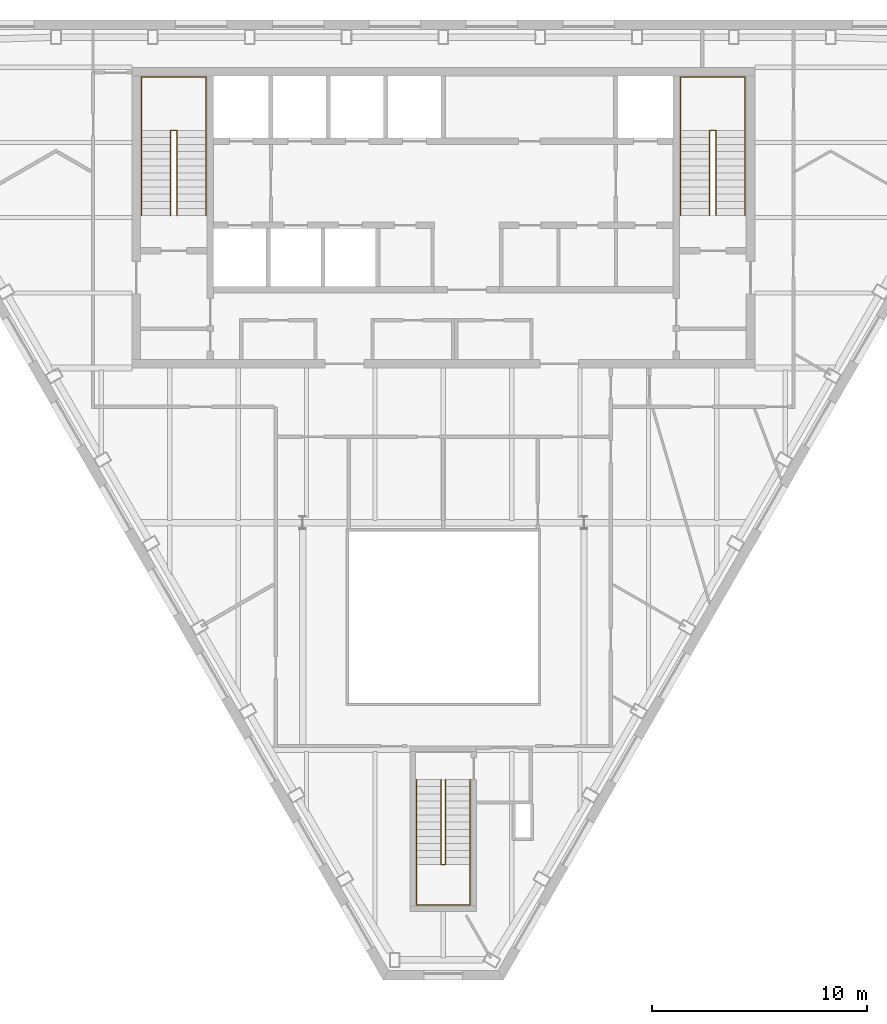
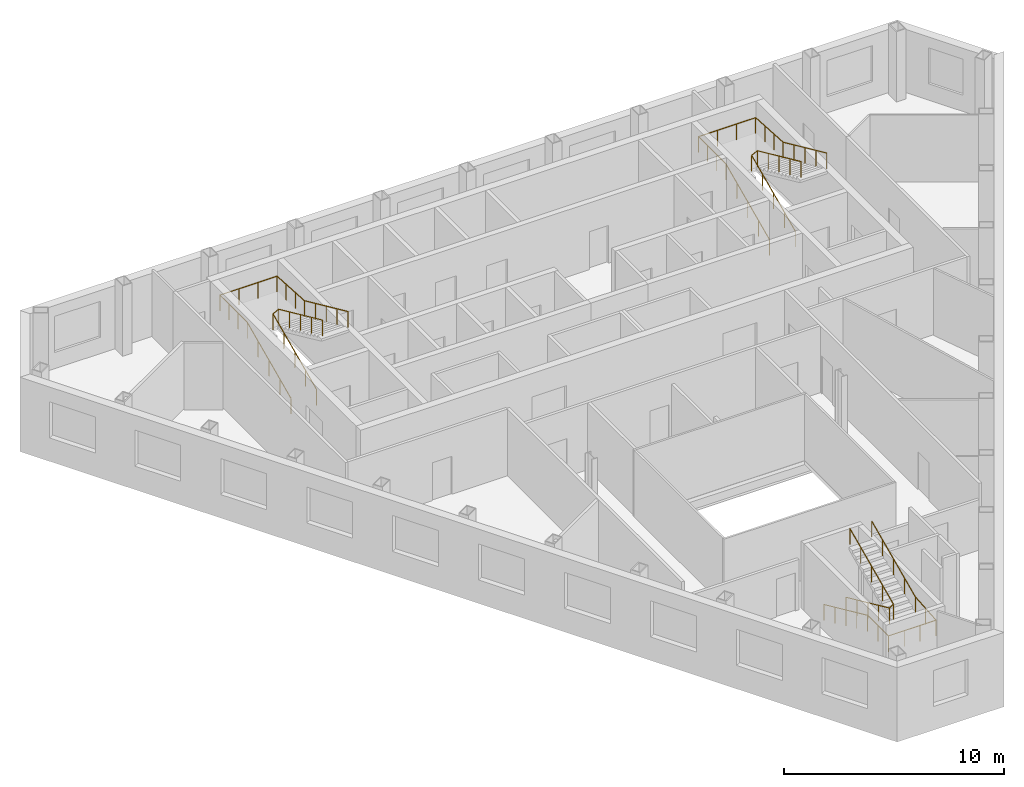
# One storey, part 10 of 10: 6 railings.
"""IFC4 building model written with IfcOpenShell, lengths in metres."""

from ifc_helpers import new_model, si_unit, direction, frame, origin, origin_2d, place, context, subcontext, project, spatial, circle, extrude, material, type_object, element, save


model = new_model("IFC4")

# Units and contexts
model_context = context("Model", 3, precision=1e-05, world=origin(), true_north=direction((0.0, 1.0)))
body_context = subcontext(model_context, "Body", "Model", "MODEL_VIEW")
ifc_project = project(units=[si_unit("LENGTHUNIT", "METRE"), si_unit("AREAUNIT", "SQUARE_METRE"), si_unit("VOLUMEUNIT", "CUBIC_METRE"), si_unit("PLANEANGLEUNIT", "RADIAN"), si_unit("MASSUNIT", "GRAM", prefix="KILO")], contexts=[model_context])

# Site, building, storey
site_placement = place(None, origin())
site = spatial("IfcSite", under=ifc_project, at=site_placement, CompositionType="ELEMENT")
building_placement = place(site_placement, origin())
building = spatial("IfcBuilding", under=site, at=building_placement, Name="Njiva Tower", CompositionType="ELEMENT")
storey_placement = place(building_placement, frame((0.0, 0.0, 276.6)))
storey = spatial("IfcBuildingStorey", under=building, at=storey_placement, Name="L63", CompositionType="ELEMENT", Elevation=276.6)

# Railings
ifc_material = material(Name="Stainless steel", Category="steel")
railing_type = type_object("IfcRailingType", Name="RL1 Stair handrail 900", PredefinedType="HANDRAIL", material=ifc_material)
railing_1_placement = place(storey_placement, frame((-14.05, 11.1, 0.15)))
element("IfcRailing", 1, at=railing_1_placement, inside=storey, type_object=railing_type, Name="Stair A handrail", PredefinedType="HANDRAIL", context=body_context, shape_type="SweptSolid", body=[
    extrude(circle(Radius=0.024, at=origin_2d()), frame((0.0, 0.0, 0.876), z_axis=(0.0, 0.910366477463, 0.413802944301), x_axis=(-1.0, 0.0, 0.0)), (0.0, 0.0, 1.0), 4.3499),
    extrude(circle(Radius=0.024, at=origin_2d()), frame((0.0, 3.96, 2.676), z_axis=(0.0, 1.0, 0.0), x_axis=(-1.0, 0.0, 0.0)), (0.0, 0.0, 1.0), 2.49),
    extrude(circle(Radius=0.024, at=origin_2d()), frame((0.0, 6.45, 2.676), z_axis=(1.0, 0.0, 0.0), x_axis=(0.0, 1.0, 0.0)), (0.0, 0.0, 1.0), 3.0),
    extrude(circle(Radius=0.024, at=origin_2d()), frame((3.0, 6.45, 2.676), z_axis=(0.0, -0.998190436793, 0.060131954024), x_axis=(1.0, 0.0, 0.0)), (0.0, 0.0, 1.0), 2.4945),
    extrude(circle(Radius=0.024, at=origin_2d()), frame((3.0, 3.96, 2.826), z_axis=(0.0, -0.910366477463, 0.413802944301), x_axis=(1.0, 0.0, 0.0)), (0.0, 0.0, 1.0), 4.3499),
    extrude(circle(Radius=0.021, at=origin_2d()), origin(), (0.0, 0.0, 1.0), 0.852),
    extrude(circle(Radius=0.021, at=origin_2d()), frame((0.0, 0.99, 0.45)), (0.0, 0.0, 1.0), 0.852),
    extrude(circle(Radius=0.021, at=origin_2d()), frame((0.0, 1.98, 0.9)), (0.0, 0.0, 1.0), 0.852),
    extrude(circle(Radius=0.021, at=origin_2d()), frame((0.0, 2.97, 1.35)), (0.0, 0.0, 1.0), 0.852),
    extrude(circle(Radius=0.021, at=origin_2d()), frame((0.0, 3.96, 1.8)), (0.0, 0.0, 1.0), 0.852),
    extrude(circle(Radius=0.021, at=origin_2d()), frame((0.0, 4.79, 1.8)), (0.0, 0.0, 1.0), 0.852),
    extrude(circle(Radius=0.021, at=origin_2d()), frame((0.0, 5.62, 1.8)), (0.0, 0.0, 1.0), 0.852),
    extrude(circle(Radius=0.021, at=origin_2d()), frame((0.0, 6.45, 1.8)), (0.0, 0.0, 1.0), 0.852),
    extrude(circle(Radius=0.021, at=origin_2d()), frame((1.0, 6.45, 1.8)), (0.0, 0.0, 1.0), 0.852),
    extrude(circle(Radius=0.021, at=origin_2d()), frame((2.0, 6.45, 1.8)), (0.0, 0.0, 1.0), 0.852),
    extrude(circle(Radius=0.021, at=origin_2d()), frame((3.0, 6.45, 1.8)), (0.0, 0.0, 1.0), 0.852),
    extrude(circle(Radius=0.021, at=origin_2d()), frame((3.0, 5.62, 1.85)), (0.0, 0.0, 1.0), 0.852),
    extrude(circle(Radius=0.021, at=origin_2d()), frame((3.0, 4.79, 1.9)), (0.0, 0.0, 1.0), 0.852),
    extrude(circle(Radius=0.021, at=origin_2d()), frame((3.0, 3.96, 1.95)), (0.0, 0.0, 1.0), 0.852),
    extrude(circle(Radius=0.021, at=origin_2d()), frame((3.0, 2.97, 2.4)), (0.0, 0.0, 1.0), 0.852),
    extrude(circle(Radius=0.021, at=origin_2d()), frame((3.0, 1.98, 2.85)), (0.0, 0.0, 1.0), 0.852),
    extrude(circle(Radius=0.021, at=origin_2d()), frame((3.0, 0.99, 3.3)), (0.0, 0.0, 1.0), 0.852),
    extrude(circle(Radius=0.021, at=origin_2d()), frame((3.0, 0.0, 3.75)), (0.0, 0.0, 1.0), 0.852),
])
railing_2_placement = place(storey_placement, frame((-12.7, 11.1, 0.15)))
element("IfcRailing", 2, at=railing_2_placement, inside=storey, type_object=railing_type, Name="Stair A handrail", PredefinedType="HANDRAIL", context=body_context, shape_type="SweptSolid", body=[
    extrude(circle(Radius=0.024, at=origin_2d()), frame((0.0, 0.0, 0.876), z_axis=(0.0, 0.910366477463, 0.413802944301), x_axis=(-1.0, 0.0, 0.0)), (0.0, 0.0, 1.0), 4.3499),
    extrude(circle(Radius=0.024, at=origin_2d()), frame((0.0, 3.96, 2.676), z_axis=(0.894427191, 0.0, 0.4472135955), x_axis=(0.0, 1.0, 0.0)), (0.0, 0.0, 1.0), 0.3354),
    extrude(circle(Radius=0.024, at=origin_2d()), frame((0.3, 3.96, 2.826), z_axis=(0.0, -0.910366477463, 0.413802944301), x_axis=(1.0, 0.0, 0.0)), (0.0, 0.0, 1.0), 4.3499),
    extrude(circle(Radius=0.021, at=origin_2d()), origin(), (0.0, 0.0, 1.0), 0.852),
    extrude(circle(Radius=0.021, at=origin_2d()), frame((0.0, 0.99, 0.45)), (0.0, 0.0, 1.0), 0.852),
    extrude(circle(Radius=0.021, at=origin_2d()), frame((0.0, 1.98, 0.9)), (0.0, 0.0, 1.0), 0.852),
    extrude(circle(Radius=0.021, at=origin_2d()), frame((0.0, 2.97, 1.35)), (0.0, 0.0, 1.0), 0.852),
    extrude(circle(Radius=0.021, at=origin_2d()), frame((0.0, 3.96, 1.8)), (0.0, 0.0, 1.0), 0.852),
    extrude(circle(Radius=0.021, at=origin_2d()), frame((0.3, 3.96, 1.95)), (0.0, 0.0, 1.0), 0.852),
    extrude(circle(Radius=0.021, at=origin_2d()), frame((0.3, 2.97, 2.4)), (0.0, 0.0, 1.0), 0.852),
    extrude(circle(Radius=0.021, at=origin_2d()), frame((0.3, 1.98, 2.85)), (0.0, 0.0, 1.0), 0.852),
    extrude(circle(Radius=0.021, at=origin_2d()), frame((0.3, 0.99, 3.3)), (0.0, 0.0, 1.0), 0.852),
    extrude(circle(Radius=0.021, at=origin_2d()), frame((0.3, 0.0, 3.75)), (0.0, 0.0, 1.0), 0.852),
])
railing_3_placement = place(storey_placement, frame((11.05, 11.1, 0.15)))
element("IfcRailing", 3, at=railing_3_placement, inside=storey, type_object=railing_type, Name="Stair B handrail", PredefinedType="HANDRAIL", context=body_context, shape_type="SweptSolid", body=[
    extrude(circle(Radius=0.024, at=origin_2d()), frame((0.0, 0.0, 0.876), z_axis=(0.0, 0.910366477463, 0.413802944301), x_axis=(-1.0, 0.0, 0.0)), (0.0, 0.0, 1.0), 4.3499),
    extrude(circle(Radius=0.024, at=origin_2d()), frame((0.0, 3.96, 2.676), z_axis=(0.0, 1.0, 0.0), x_axis=(-1.0, 0.0, 0.0)), (0.0, 0.0, 1.0), 2.49),
    extrude(circle(Radius=0.024, at=origin_2d()), frame((0.0, 6.45, 2.676), z_axis=(1.0, 0.0, 0.0), x_axis=(0.0, 1.0, 0.0)), (0.0, 0.0, 1.0), 3.0),
    extrude(circle(Radius=0.024, at=origin_2d()), frame((3.0, 6.45, 2.676), z_axis=(0.0, -0.998190436793, 0.060131954024), x_axis=(1.0, 0.0, 0.0)), (0.0, 0.0, 1.0), 2.4945),
    extrude(circle(Radius=0.024, at=origin_2d()), frame((3.0, 3.96, 2.826), z_axis=(0.0, -0.910366477463, 0.413802944301), x_axis=(1.0, 0.0, 0.0)), (0.0, 0.0, 1.0), 4.3499),
    extrude(circle(Radius=0.021, at=origin_2d()), origin(), (0.0, 0.0, 1.0), 0.852),
    extrude(circle(Radius=0.021, at=origin_2d()), frame((0.0, 0.99, 0.45)), (0.0, 0.0, 1.0), 0.852),
    extrude(circle(Radius=0.021, at=origin_2d()), frame((0.0, 1.98, 0.9)), (0.0, 0.0, 1.0), 0.852),
    extrude(circle(Radius=0.021, at=origin_2d()), frame((0.0, 2.97, 1.35)), (0.0, 0.0, 1.0), 0.852),
    extrude(circle(Radius=0.021, at=origin_2d()), frame((0.0, 3.96, 1.8)), (0.0, 0.0, 1.0), 0.852),
    extrude(circle(Radius=0.021, at=origin_2d()), frame((0.0, 4.79, 1.8)), (0.0, 0.0, 1.0), 0.852),
    extrude(circle(Radius=0.021, at=origin_2d()), frame((0.0, 5.62, 1.8)), (0.0, 0.0, 1.0), 0.852),
    extrude(circle(Radius=0.021, at=origin_2d()), frame((0.0, 6.45, 1.8)), (0.0, 0.0, 1.0), 0.852),
    extrude(circle(Radius=0.021, at=origin_2d()), frame((1.0, 6.45, 1.8)), (0.0, 0.0, 1.0), 0.852),
    extrude(circle(Radius=0.021, at=origin_2d()), frame((2.0, 6.45, 1.8)), (0.0, 0.0, 1.0), 0.852),
    extrude(circle(Radius=0.021, at=origin_2d()), frame((3.0, 6.45, 1.8)), (0.0, 0.0, 1.0), 0.852),
    extrude(circle(Radius=0.021, at=origin_2d()), frame((3.0, 5.62, 1.85)), (0.0, 0.0, 1.0), 0.852),
    extrude(circle(Radius=0.021, at=origin_2d()), frame((3.0, 4.79, 1.9)), (0.0, 0.0, 1.0), 0.852),
    extrude(circle(Radius=0.021, at=origin_2d()), frame((3.0, 3.96, 1.95)), (0.0, 0.0, 1.0), 0.852),
    extrude(circle(Radius=0.021, at=origin_2d()), frame((3.0, 2.97, 2.4)), (0.0, 0.0, 1.0), 0.852),
    extrude(circle(Radius=0.021, at=origin_2d()), frame((3.0, 1.98, 2.85)), (0.0, 0.0, 1.0), 0.852),
    extrude(circle(Radius=0.021, at=origin_2d()), frame((3.0, 0.99, 3.3)), (0.0, 0.0, 1.0), 0.852),
    extrude(circle(Radius=0.021, at=origin_2d()), frame((3.0, 0.0, 3.75)), (0.0, 0.0, 1.0), 0.852),
])
railing_4_placement = place(storey_placement, frame((12.4, 11.1, 0.15)))
element("IfcRailing", 4, at=railing_4_placement, inside=storey, type_object=railing_type, Name="Stair B handrail", PredefinedType="HANDRAIL", context=body_context, shape_type="SweptSolid", body=[
    extrude(circle(Radius=0.024, at=origin_2d()), frame((0.0, 0.0, 0.876), z_axis=(0.0, 0.910366477463, 0.413802944301), x_axis=(-1.0, 0.0, 0.0)), (0.0, 0.0, 1.0), 4.3499),
    extrude(circle(Radius=0.024, at=origin_2d()), frame((0.0, 3.96, 2.676), z_axis=(0.894427191, 0.0, 0.4472135955), x_axis=(0.0, 1.0, 0.0)), (0.0, 0.0, 1.0), 0.3354),
    extrude(circle(Radius=0.024, at=origin_2d()), frame((0.3, 3.96, 2.826), z_axis=(0.0, -0.910366477463, 0.413802944301), x_axis=(1.0, 0.0, 0.0)), (0.0, 0.0, 1.0), 4.3499),
    extrude(circle(Radius=0.021, at=origin_2d()), origin(), (0.0, 0.0, 1.0), 0.852),
    extrude(circle(Radius=0.021, at=origin_2d()), frame((0.0, 0.99, 0.45)), (0.0, 0.0, 1.0), 0.852),
    extrude(circle(Radius=0.021, at=origin_2d()), frame((0.0, 1.98, 0.9)), (0.0, 0.0, 1.0), 0.852),
    extrude(circle(Radius=0.021, at=origin_2d()), frame((0.0, 2.97, 1.35)), (0.0, 0.0, 1.0), 0.852),
    extrude(circle(Radius=0.021, at=origin_2d()), frame((0.0, 3.96, 1.8)), (0.0, 0.0, 1.0), 0.852),
    extrude(circle(Radius=0.021, at=origin_2d()), frame((0.3, 3.96, 1.95)), (0.0, 0.0, 1.0), 0.852),
    extrude(circle(Radius=0.021, at=origin_2d()), frame((0.3, 2.97, 2.4)), (0.0, 0.0, 1.0), 0.852),
    extrude(circle(Radius=0.021, at=origin_2d()), frame((0.3, 1.98, 2.85)), (0.0, 0.0, 1.0), 0.852),
    extrude(circle(Radius=0.021, at=origin_2d()), frame((0.3, 0.99, 3.3)), (0.0, 0.0, 1.0), 0.852),
    extrude(circle(Radius=0.021, at=origin_2d()), frame((0.3, 0.0, 3.75)), (0.0, 0.0, 1.0), 0.852),
])
railing_5_placement = place(storey_placement, frame((-1.25, -15.16, 0.15)))
element("IfcRailing", 5, at=railing_5_placement, inside=storey, type_object=railing_type, Name="Stair C handrail", PredefinedType="HANDRAIL", context=body_context, shape_type="SweptSolid", body=[
    extrude(circle(Radius=0.024, at=origin_2d()), frame((0.0, 0.0, 0.876), z_axis=(0.0, -0.910366477463, 0.413802944301), x_axis=(1.0, 0.0, 0.0)), (0.0, 0.0, 1.0), 4.3499),
    extrude(circle(Radius=0.024, at=origin_2d()), frame((0.0, -3.96, 2.676), z_axis=(0.0, -1.0, 0.0), x_axis=(1.0, 0.0, 0.0)), (0.0, 0.0, 1.0), 1.88),
    extrude(circle(Radius=0.024, at=origin_2d()), frame((0.0, -5.84, 2.676), z_axis=(1.0, 0.0, 0.0), x_axis=(0.0, 1.0, 0.0)), (0.0, 0.0, 1.0), 2.5),
    extrude(circle(Radius=0.024, at=origin_2d()), frame((2.5, -5.84, 2.676), z_axis=(0.0, 0.996832115713, 0.079534477318), x_axis=(-1.0, 0.0, 0.0)), (0.0, 0.0, 1.0), 1.886),
    extrude(circle(Radius=0.024, at=origin_2d()), frame((2.5, -3.96, 2.826), z_axis=(0.0, 0.910366477463, 0.413802944301), x_axis=(-1.0, 0.0, 0.0)), (0.0, 0.0, 1.0), 4.3499),
    extrude(circle(Radius=0.021, at=origin_2d()), origin(), (0.0, 0.0, 1.0), 0.852),
    extrude(circle(Radius=0.021, at=origin_2d()), frame((0.0, -0.99, 0.45)), (0.0, 0.0, 1.0), 0.852),
    extrude(circle(Radius=0.021, at=origin_2d()), frame((0.0, -1.98, 0.9)), (0.0, 0.0, 1.0), 0.852),
    extrude(circle(Radius=0.021, at=origin_2d()), frame((0.0, -2.97, 1.35)), (0.0, 0.0, 1.0), 0.852),
    extrude(circle(Radius=0.021, at=origin_2d()), frame((0.0, -3.96, 1.8)), (0.0, 0.0, 1.0), 0.852),
    extrude(circle(Radius=0.021, at=origin_2d()), frame((0.0, -4.9, 1.8)), (0.0, 0.0, 1.0), 0.852),
    extrude(circle(Radius=0.021, at=origin_2d()), frame((0.0, -5.84, 1.8)), (0.0, 0.0, 1.0), 0.852),
    extrude(circle(Radius=0.021, at=origin_2d()), frame((0.8333, -5.84, 1.8)), (0.0, 0.0, 1.0), 0.852),
    extrude(circle(Radius=0.021, at=origin_2d()), frame((1.6667, -5.84, 1.8)), (0.0, 0.0, 1.0), 0.852),
    extrude(circle(Radius=0.021, at=origin_2d()), frame((2.5, -5.84, 1.8)), (0.0, 0.0, 1.0), 0.852),
    extrude(circle(Radius=0.021, at=origin_2d()), frame((2.5, -4.9, 1.875)), (0.0, 0.0, 1.0), 0.852),
    extrude(circle(Radius=0.021, at=origin_2d()), frame((2.5, -3.96, 1.95)), (0.0, 0.0, 1.0), 0.852),
    extrude(circle(Radius=0.021, at=origin_2d()), frame((2.5, -2.97, 2.4)), (0.0, 0.0, 1.0), 0.852),
    extrude(circle(Radius=0.021, at=origin_2d()), frame((2.5, -1.98, 2.85)), (0.0, 0.0, 1.0), 0.852),
    extrude(circle(Radius=0.021, at=origin_2d()), frame((2.5, -0.99, 3.3)), (0.0, 0.0, 1.0), 0.852),
    extrude(circle(Radius=0.021, at=origin_2d()), frame((2.5, 0.0, 3.75)), (0.0, 0.0, 1.0), 0.852),
])
railing_6_placement = place(storey_placement, frame((-0.1, -15.16, 0.15)))
element("IfcRailing", 6, at=railing_6_placement, inside=storey, type_object=railing_type, Name="Stair C handrail", PredefinedType="HANDRAIL", context=body_context, shape_type="SweptSolid", body=[
    extrude(circle(Radius=0.024, at=origin_2d()), frame((0.0, 0.0, 0.876), z_axis=(0.0, -0.910366477463, 0.413802944301), x_axis=(1.0, 0.0, 0.0)), (0.0, 0.0, 1.0), 4.3499),
    extrude(circle(Radius=0.024, at=origin_2d()), frame((0.0, -3.96, 2.676), z_axis=(0.8, 0.0, 0.6), x_axis=(0.0, 1.0, 0.0)), (0.0, 0.0, 1.0), 0.25),
    extrude(circle(Radius=0.024, at=origin_2d()), frame((0.2, -3.96, 2.826), z_axis=(0.0, 0.910366477463, 0.413802944301), x_axis=(-1.0, 0.0, 0.0)), (0.0, 0.0, 1.0), 4.3499),
    extrude(circle(Radius=0.021, at=origin_2d()), origin(), (0.0, 0.0, 1.0), 0.852),
    extrude(circle(Radius=0.021, at=origin_2d()), frame((0.0, -0.99, 0.45)), (0.0, 0.0, 1.0), 0.852),
    extrude(circle(Radius=0.021, at=origin_2d()), frame((0.0, -1.98, 0.9)), (0.0, 0.0, 1.0), 0.852),
    extrude(circle(Radius=0.021, at=origin_2d()), frame((0.0, -2.97, 1.35)), (0.0, 0.0, 1.0), 0.852),
    extrude(circle(Radius=0.021, at=origin_2d()), frame((0.0, -3.96, 1.8)), (0.0, 0.0, 1.0), 0.852),
    extrude(circle(Radius=0.021, at=origin_2d()), frame((0.2, -3.96, 1.95)), (0.0, 0.0, 1.0), 0.852),
    extrude(circle(Radius=0.021, at=origin_2d()), frame((0.2, -2.97, 2.4)), (0.0, 0.0, 1.0), 0.852),
    extrude(circle(Radius=0.021, at=origin_2d()), frame((0.2, -1.98, 2.85)), (0.0, 0.0, 1.0), 0.852),
    extrude(circle(Radius=0.021, at=origin_2d()), frame((0.2, -0.99, 3.3)), (0.0, 0.0, 1.0), 0.852),
    extrude(circle(Radius=0.021, at=origin_2d()), frame((0.2, 0.0, 3.75)), (0.0, 0.0, 1.0), 0.852),
])

save(model, "model.ifc")
